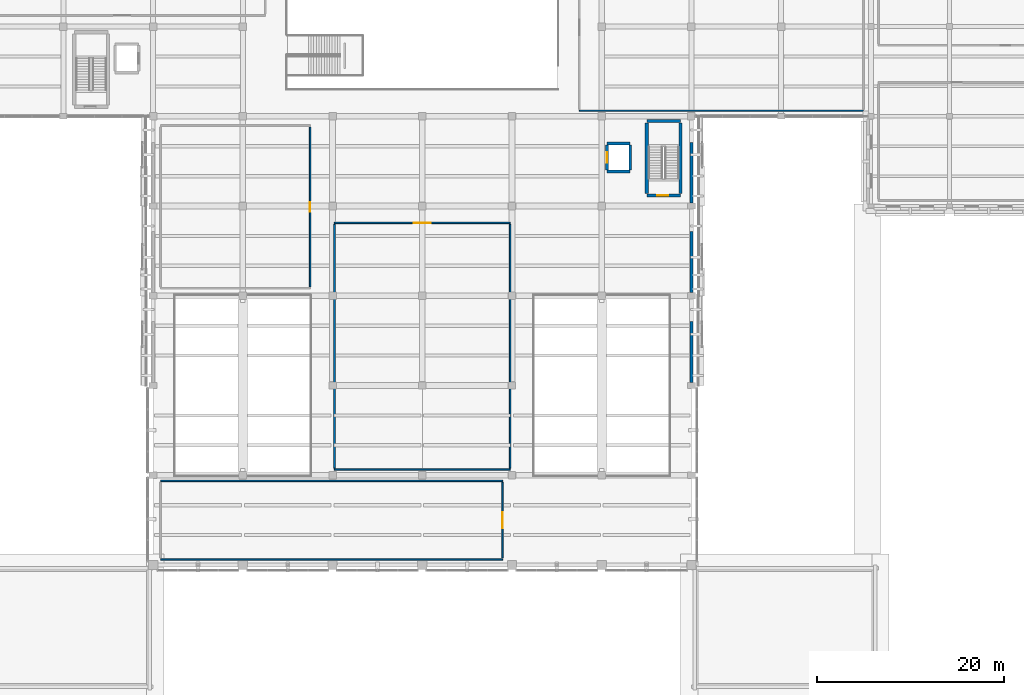
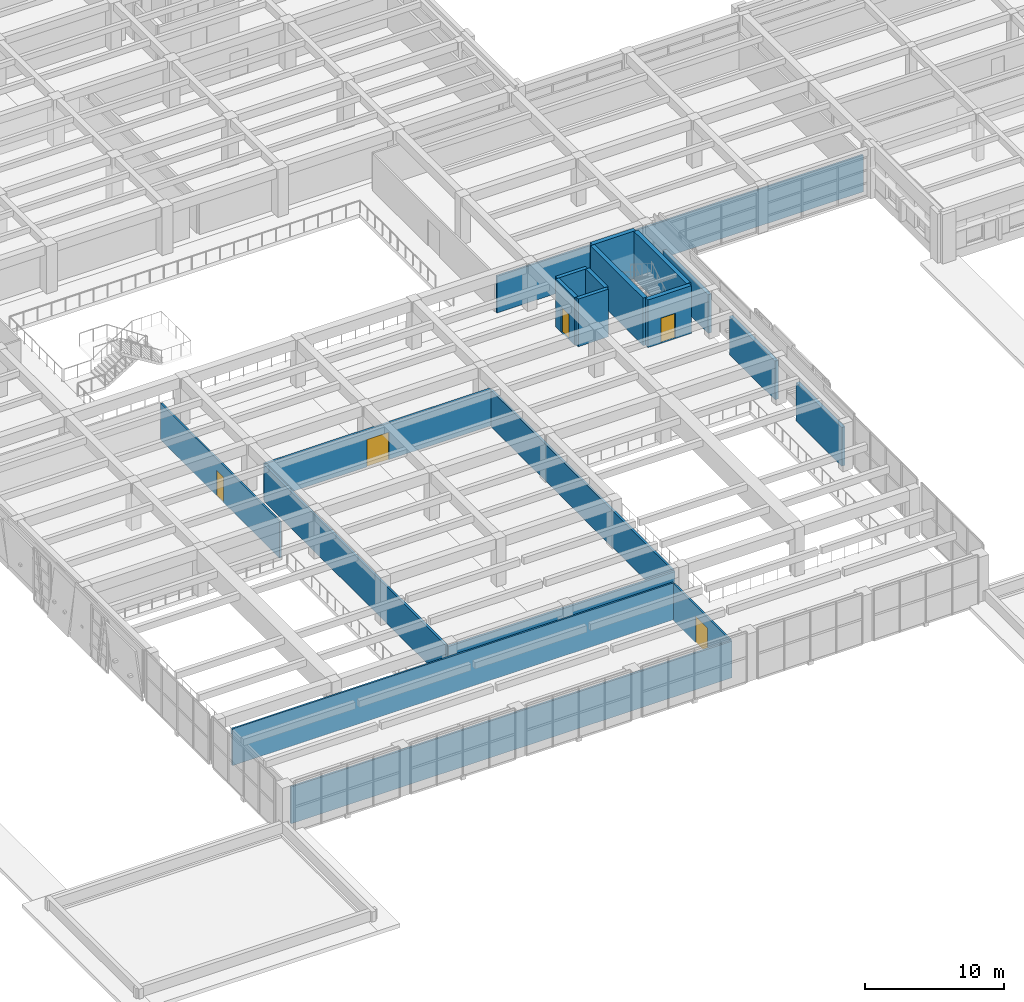
# One storey, part 31 of 49: 20 walls, 5 doors, 5 openings.
"""IFC4 building model written with IfcOpenShell, lengths in metres."""

from ifc_helpers import new_model, si_unit, direction, frame, frame_2d, origin, place, context, subcontext, project, spatial, rectangle, extrude, material, layer, layer_set, type_object, element, fill, save


model = new_model("IFC4")

# Units and contexts
model_context = context("Model", 3, precision=1e-05, world=origin(), true_north=direction((0.0, 1.0)))
body_context = subcontext(model_context, "Body", "Model", "MODEL_VIEW")
ifc_project = project(units=[si_unit("LENGTHUNIT", "METRE"), si_unit("AREAUNIT", "SQUARE_METRE"), si_unit("VOLUMEUNIT", "CUBIC_METRE"), si_unit("PLANEANGLEUNIT", "RADIAN"), si_unit("MASSUNIT", "GRAM", prefix="KILO")], contexts=[model_context])

# Site, building, storey
site_placement = place(None, origin())
site = spatial("IfcSite", under=ifc_project, at=site_placement, CompositionType="ELEMENT")
building_placement = place(site_placement, origin())
building = spatial("IfcBuilding", under=site, at=building_placement, Name="Bempovik Park Faculty of Sciences", CompositionType="ELEMENT")
storey_placement = place(building_placement, frame((0.0, 0.0, 5.39990234375)))
storey = spatial("IfcBuildingStorey", under=building, at=storey_placement, Name="L01", CompositionType="ELEMENT", Elevation=5.39990234375)

# Walls
ifc_material_1 = material(Name="Precast concrete C40/50", Category="concrete")
ifc_layer_1 = layer(ifc_material_1, 0.280029296875)
ifc_layer_set_1 = layer_set([ifc_layer_1], Name="Precast concrete C40/50")
wall_type_1 = type_object("IfcWallType", Name="W-25 Wall 280mm", PredefinedType="SOLIDWALL", material=ifc_layer_set_1)
for number, where, z_axis, x_axis, name in (
    (1, (117.60009765625, 39.326904296875, 0.0), (0.0, 0.0, 1.0), (0.0, 1.0, 0.0), "L01 Crystal Backup Wall EW-CRYS-L01-7018"),
    (2, (117.60009765625, 48.927001953125, 0.0), (0.0, 0.0, 1.0), (0.0, 1.0, 0.0), "L01 Crystal Backup Wall EW-CRYS-L01-7043"),
):
    element("IfcWall", number, at=place(storey_placement, frame(where, z_axis=z_axis, x_axis=x_axis)), inside=storey, type_object=wall_type_1, Name=name, PredefinedType="SOLIDWALL", context=body_context, shape_type="SweptSolid", body=[
        extrude(rectangle(XDim=6.5419921875, YDim=0.280029296875, at=frame_2d((3.27099609375, 0.0))), origin(), (0.0, 0.0, 1.0), 3.380126953125),
    ])
wall_1_placement = place(storey_placement, frame((117.60009765625, 58.527099609375, 0.0), z_axis=(0.0, 0.0, 1.0), x_axis=(0.0, 1.0, 0.0)))
element("IfcWall", 3, at=wall_1_placement, inside=storey, type_object=wall_type_1, Name="L01 Crystal Backup Wall EW-CRYS-L01-7068", PredefinedType="SOLIDWALL", context=body_context, shape_type="SweptSolid", body=[
    extrude(rectangle(XDim=6.466796875, YDim=0.280029296875, at=frame_2d((3.2333984375, 0.0))), origin(), (0.0, 0.0, 1.0), 3.380126953125),
])
ifc_material_2 = material(Name="Concrete C40/50", Category="concrete")
ifc_layer_2 = layer(ifc_material_2, 0.300048828125)
ifc_layer_set_2 = layer_set([ifc_layer_2], Name="Concrete C40/50")
wall_type_2 = type_object("IfcWallType", Name="W-31 Wall 300mm", PredefinedType="SHEAR", material=ifc_layer_set_2)
for number, where, z_axis, x_axis, name in (
    (4, (108.550048828125, 61.89990234375, 0.0), (0.0, 0.0, 1.0), (1.0, 0.0, 0.0), "Lift LF-4 L01 Shaft Wall South"),
    (5, (108.550048828125, 64.89990234375, 0.0), (0.0, 0.0, 1.0), (1.0, 0.0, 0.0), "Lift LF-4 L01 Shaft Wall North"),
):
    element("IfcWall", number, at=place(storey_placement, frame(where, z_axis=z_axis, x_axis=x_axis)), inside=storey, type_object=wall_type_2, Name=name, PredefinedType="SHEAR", context=body_context, shape_type="SweptSolid", body=[
        extrude(rectangle(XDim=2.5, YDim=0.300048828125, at=frame_2d((1.25, 0.0))), origin(), (0.0, 0.0, 1.0), 4.18017578125),
    ])

# Wall, opening, door
wall_2_placement = place(storey_placement, frame((108.550048828125, 62.050048828125, 0.0), z_axis=(0.0, 0.0, 1.0), x_axis=(0.0, 1.0, 0.0)))
wall_2 = element("IfcWall", 6, at=wall_2_placement, inside=storey, type_object=wall_type_2, Name="Lift LF-4 L01 Shaft Wall West", PredefinedType="SHEAR", context=body_context, shape_type="SweptSolid", body=[
    extrude(rectangle(XDim=2.699951171875, YDim=0.300048828125, at=frame_2d((1.35009765625, 0.0))), origin(), (0.0, 0.0, 1.0), 4.18017578125),
])
opening_1_placement = place(wall_2_placement, frame((0.800048828125, 0.0, 0.0)))
opening_1 = element("IfcOpeningElement", 7, at=opening_1_placement, cuts=wall_2, Name="Opening LD-02", PredefinedType="OPENING", context=body_context, shape_type="SweptSolid", body=[
    extrude(rectangle(XDim=1.10009765625, YDim=2.199951171875, at=frame_2d((0.550048828125, 1.10009765625))), frame((0.0, 0.16015625, 0.0), z_axis=(0.0, -1.0, 0.0), x_axis=(1.0, 0.0, 0.0)), (0.0, 0.0, 1.0), 0.320068359375),
])
ifc_material_3 = material(Name="Anodised aluminium", Category="aluminium")
door_type_1 = type_object("IfcDoorType", Name="LD-02 Door 1100x2200", OperationType="NOTDEFINED", PredefinedType="DOOR", material=ifc_material_3)
door_1_placement = place(opening_1_placement, origin())
door_1 = element("IfcDoor", 8, at=door_1_placement, inside=storey, type_object=door_type_1, Name="Lift LF-4 L01 Sliding Landing Door", OperationType="SLIDING_TO_LEFT", OverallHeight=2.199951171875, OverallWidth=1.10009765625, PredefinedType="DOOR", context=body_context, shape_type="SweptSolid", body=[
    extrude(rectangle(XDim=1.10009765625, YDim=2.199951171875, at=frame_2d((0.550048828125, 1.10009765625))), frame((0.0, 0.02490234375, 0.0), z_axis=(0.0, -1.0, 0.0), x_axis=(1.0, 0.0, 0.0)), (0.0, 0.0, 1.0), 0.050048828125),
])
fill(opening_1, door_1)

# Walls
wall_3_placement = place(storey_placement, frame((111.050048828125, 62.050048828125, 0.0), z_axis=(0.0, 0.0, 1.0), x_axis=(0.0, 1.0, 0.0)))
element("IfcWall", 9, at=wall_3_placement, inside=storey, type_object=wall_type_2, Name="Lift LF-4 L01 Shaft Wall East", PredefinedType="SHEAR", context=body_context, shape_type="SweptSolid", body=[
    extrude(rectangle(XDim=2.699951171875, YDim=0.300048828125, at=frame_2d((1.35009765625, 0.0))), origin(), (0.0, 0.0, 1.0), 4.18017578125),
])
ifc_material_4 = material(Name="Gypsum acoustic stud assembly")
ifc_layer_3 = layer(ifc_material_4, 0.14990234375)
ifc_layer_set_3 = layer_set([ifc_layer_3], Name="Gypsum acoustic stud assembly")
wall_type_3 = type_object("IfcWallType", Name="W-42 Wall 150mm", PredefinedType="PARTITIONING", material=ifc_layer_set_3)
for number, where, z_axis, x_axis, name in (
    (10, (60.800048828125, 20.39990234375, 0.0), (0.0, 0.0, 1.0), (1.0, 0.0, 0.0), "L01 Science Learning Commons South Reading Hall Partition South"),
    (11, (60.800048828125, 28.800048828125, 0.0), (0.0, 0.0, 1.0), (1.0, 0.0, 0.0), "L01 Science Learning Commons South Reading Hall Partition North"),
):
    element("IfcWall", number, at=place(storey_placement, frame(where, z_axis=z_axis, x_axis=x_axis)), inside=storey, type_object=wall_type_3, Name=name, PredefinedType="PARTITIONING", context=body_context, shape_type="SweptSolid", body=[
        extrude(rectangle(XDim=36.599853515625, YDim=0.14990234375, at=frame_2d((18.2998046875, 0.0))), origin(), (0.0, 0.0, 1.0), 3.22021484375),
    ])

# Wall, opening, door
wall_4_placement = place(storey_placement, frame((97.39990234375, 20.56005859375, 0.0), z_axis=(0.0, 0.0, 1.0), x_axis=(0.0, 1.0, 0.0)))
wall_4 = element("IfcWall", 12, at=wall_4_placement, inside=storey, type_object=wall_type_3, Name="L01 Science Learning Commons South Reading Hall Partition East", PredefinedType="PARTITIONING", context=body_context, shape_type="SweptSolid", body=[
    extrude(rectangle(XDim=8.079833984375, YDim=0.14990234375, at=frame_2d((4.0400390625, 0.0))), origin(), (0.0, 0.0, 1.0), 3.22021484375),
])
opening_2_placement = place(wall_4_placement, frame((3.18994140625, 0.0, 0.0)))
opening_2 = element("IfcOpeningElement", 13, at=opening_2_placement, cuts=wall_4, Name="Opening D-40", PredefinedType="OPENING", context=body_context, shape_type="SweptSolid", body=[
    extrude(rectangle(XDim=1.699951171875, YDim=2.300048828125, at=frame_2d((0.85009765625, 1.14990234375))), frame((0.0, 0.0849609375, 0.0), z_axis=(0.0, -1.0, 0.0), x_axis=(1.0, 0.0, 0.0)), (0.0, 0.0, 1.0), 0.169921875),
])
ifc_material_5 = material(Name="Anodised architectural bronze")
door_type_2 = type_object("IfcDoorType", Name="D-40 Door 1700x2300", OperationType="NOTDEFINED", PredefinedType="DOOR", material=ifc_material_5)
door_2_placement = place(opening_2_placement, origin())
door_2 = element("IfcDoor", 14, at=door_2_placement, inside=storey, type_object=door_type_2, Name="L01 Science Learning Commons South Reading Hall Door", OperationType="DOUBLE_DOOR_SINGLE_SWING", OverallHeight=2.300048828125, OverallWidth=1.699951171875, PredefinedType="DOOR", context=body_context, shape_type="SweptSolid", body=[
    extrude(rectangle(XDim=1.699951171875, YDim=2.300048828125, at=frame_2d((0.85009765625, 1.14990234375))), frame((0.0, 0.02490234375, 0.0), z_axis=(0.0, -1.0, 0.0), x_axis=(1.0, 0.0, 0.0)), (0.0, 0.0, 1.0), 0.050048828125),
])
fill(opening_2, door_2)

wall_5_placement = place(storey_placement, frame((76.800048828125, 49.56005859375, 0.0), z_axis=(0.0, 0.0, 1.0), x_axis=(0.0, 1.0, 0.0)))
wall_5 = element("IfcWall", 15, at=wall_5_placement, inside=storey, type_object=wall_type_3, Name="L01 Crystal West Seminar Room Partition East", PredefinedType="PARTITIONING", context=body_context, shape_type="SweptSolid", body=[
    extrude(rectangle(XDim=17.079833984375, YDim=0.14990234375, at=frame_2d((8.5400390625, 0.0))), origin(), (0.0, 0.0, 1.0), 3.22021484375),
])
opening_3_placement = place(wall_5_placement, frame((8.014892578125, 0.0, 0.0)))
opening_3 = element("IfcOpeningElement", 16, at=opening_3_placement, cuts=wall_5, Name="Opening D-16", PredefinedType="OPENING", context=body_context, shape_type="SweptSolid", body=[
    extrude(rectangle(XDim=1.050048828125, YDim=2.199951171875, at=frame_2d((0.52490234375, 1.10009765625))), frame((0.0, 0.0849609375, 0.0), z_axis=(0.0, -1.0, 0.0), x_axis=(1.0, 0.0, 0.0)), (0.0, 0.0, 1.0), 0.169921875),
])
ifc_material_6 = material(Name="West African hardwood finish", Category="wood")
door_type_3 = type_object("IfcDoorType", Name="D-16 Door 1050x2200", OperationType="NOTDEFINED", PredefinedType="DOOR", material=ifc_material_6)
door_3_placement = place(opening_3_placement, origin())
door_3 = element("IfcDoor", 17, at=door_3_placement, inside=storey, type_object=door_type_3, Name="L01 Crystal West Seminar Room Door", OperationType="SINGLE_SWING_LEFT", OverallHeight=2.199951171875, OverallWidth=1.050048828125, PredefinedType="DOOR", context=body_context, shape_type="SweptSolid", body=[
    extrude(rectangle(XDim=1.050048828125, YDim=2.199951171875, at=frame_2d((0.52490234375, 1.10009765625))), frame((0.0, 0.02490234375, 0.0), z_axis=(0.0, -1.0, 0.0), x_axis=(1.0, 0.0, 0.0)), (0.0, 0.0, 1.0), 0.050048828125),
])
fill(opening_3, door_3)

# Wall
wall_6_placement = place(storey_placement, frame((105.60009765625, 68.39990234375, 0.0), z_axis=(0.0, 0.0, 1.0), x_axis=(1.0, 0.0, 0.0)))
element("IfcWall", 18, at=wall_6_placement, inside=storey, type_object=wall_type_3, Name="L01 Atrium Concourse Study Gallery East Partition South", PredefinedType="PARTITIONING", context=body_context, shape_type="SweptSolid", body=[
    extrude(rectangle(XDim=30.39990234375, YDim=0.14990234375, at=frame_2d((15.199951171875, 0.0))), origin(), (0.0, 0.0, 1.0), 3.22021484375),
])

# Wall, opening, door
ifc_layer_4 = layer(ifc_material_2, 0.35009765625)
ifc_layer_set_4 = layer_set([ifc_layer_4], Name="Concrete C40/50")
wall_type_4 = type_object("IfcWallType", Name="W-46 Wall 350mm", PredefinedType="SHEAR", material=ifc_layer_set_4)
wall_7_placement = place(storey_placement, frame((112.824951171875, 59.324951171875, 0.0), z_axis=(0.0, 0.0, 1.0), x_axis=(1.0, 0.0, 0.0)))
wall_7 = element("IfcWall", 19, at=wall_7_placement, inside=storey, type_object=wall_type_4, Name="ST-5 L01 Core Shear Wall South", PredefinedType="SHEAR", context=body_context, shape_type="SweptSolid", body=[
    extrude(rectangle(XDim=3.60009765625, YDim=0.35009765625, at=frame_2d((1.800048828125, 0.0))), origin(), (0.0, 0.0, 1.0), 4.18017578125),
])
opening_4_placement = place(wall_7_placement, frame((1.10009765625, 0.0, 0.0)))
opening_4 = element("IfcOpeningElement", 20, at=opening_4_placement, cuts=wall_7, Name="Opening D-49", PredefinedType="OPENING", context=body_context, shape_type="SweptSolid", body=[
    extrude(rectangle(XDim=1.199951171875, YDim=2.199951171875, at=frame_2d((0.60009765625, 1.10009765625))), frame((0.0, 0.18505859375, 0.0), z_axis=(0.0, -1.0, 0.0), x_axis=(1.0, 0.0, 0.0)), (0.0, 0.0, 1.0), 0.3701171875),
])
ifc_material_7 = material(Name="Painted steel S355", Category="steel")
door_type_4 = type_object("IfcDoorType", Name="D-49 Door 1200x2200", OperationType="NOTDEFINED", PredefinedType="DOOR", material=ifc_material_7)
door_4_placement = place(opening_4_placement, origin())
door_4 = element("IfcDoor", 21, at=door_4_placement, inside=storey, type_object=door_type_4, Name="ST-5 L01 Protected Stair Smoke Door", OperationType="SINGLE_SWING_RIGHT", OverallHeight=2.199951171875, OverallWidth=1.199951171875, PredefinedType="DOOR", context=body_context, shape_type="SweptSolid", body=[
    extrude(rectangle(XDim=1.199951171875, YDim=2.199951171875, at=frame_2d((0.60009765625, 1.10009765625))), frame((0.0, 0.02490234375, 0.0), z_axis=(0.0, -1.0, 0.0), x_axis=(1.0, 0.0, 0.0)), (0.0, 0.0, 1.0), 0.050048828125),
])
fill(opening_4, door_4)

# Walls
for number, where, z_axis, x_axis, name in (
    (22, (112.824951171875, 59.52490234375, 0.0), (0.0, 0.0, 1.0), (0.0, 1.0, 0.0), "ST-5 L01 Core Shear Wall West"),
    (23, (116.425048828125, 59.52490234375, 0.0), (0.0, 0.0, 1.0), (0.0, 1.0, 0.0), "ST-5 L01 Core Shear Wall East"),
):
    element("IfcWall", number, at=place(storey_placement, frame(where, z_axis=z_axis, x_axis=x_axis)), inside=storey, type_object=wall_type_4, Name=name, PredefinedType="SHEAR", context=body_context, shape_type="SweptSolid", body=[
        extrude(rectangle(XDim=7.5751953125, YDim=0.35009765625, at=frame_2d((3.78759765625, 0.0))), origin(), (0.0, 0.0, 1.0), 4.18017578125),
    ])
wall_8_placement = place(storey_placement, frame((112.824951171875, 67.300048828125, 0.0), z_axis=(0.0, 0.0, 1.0), x_axis=(1.0, 0.0, 0.0)))
element("IfcWall", 24, at=wall_8_placement, inside=storey, type_object=wall_type_4, Name="ST-5 L01 Core Shear Wall North", PredefinedType="SHEAR", context=body_context, shape_type="SweptSolid", body=[
    extrude(rectangle(XDim=3.60009765625, YDim=0.35009765625, at=frame_2d((1.800048828125, 0.0))), origin(), (0.0, 0.0, 1.0), 4.18017578125),
])
ifc_layer_5 = layer(ifc_material_4, 0.179931640625)
ifc_layer_set_5 = layer_set([ifc_layer_5], Name="Gypsum acoustic stud assembly")
wall_type_5 = type_object("IfcWallType", Name="W-53 Wall 180mm", PredefinedType="PARTITIONING", material=ifc_layer_set_5)
wall_9_placement = place(storey_placement, frame((79.39990234375, 30.0, 0.0), z_axis=(0.0, 0.0, 1.0), x_axis=(1.0, 0.0, 0.0)))
element("IfcWall", 25, at=wall_9_placement, inside=storey, type_object=wall_type_5, Name="L01 Central Tiered Lecture Theatre Partition South", PredefinedType="PARTITIONING", context=body_context, shape_type="SweptSolid", body=[
    extrude(rectangle(XDim=18.800048828125, YDim=0.179931640625, at=frame_2d((9.39990234375, 0.0))), origin(), (0.0, 0.0, 1.0), 3.22021484375),
])

# Wall, opening, door
wall_10_placement = place(storey_placement, frame((79.39990234375, 56.39990234375, 0.0), z_axis=(0.0, 0.0, 1.0), x_axis=(1.0, 0.0, 0.0)))
wall_10 = element("IfcWall", 26, at=wall_10_placement, inside=storey, type_object=wall_type_5, Name="L01 Central Tiered Lecture Theatre Partition North", PredefinedType="PARTITIONING", context=body_context, shape_type="SweptSolid", body=[
    extrude(rectangle(XDim=18.800048828125, YDim=0.179931640625, at=frame_2d((9.39990234375, 0.0))), origin(), (0.0, 0.0, 1.0), 3.22021484375),
])
opening_5_placement = place(wall_10_placement, frame((8.5, 0.0, 0.0)))
opening_5 = element("IfcOpeningElement", 27, at=opening_5_placement, cuts=wall_10, Name="Opening D-61", PredefinedType="OPENING", context=body_context, shape_type="SweptSolid", body=[
    extrude(rectangle(XDim=1.800048828125, YDim=2.39990234375, at=frame_2d((0.89990234375, 1.199951171875))), frame((0.0, 0.10009765625, 0.0), z_axis=(0.0, -1.0, 0.0), x_axis=(1.0, 0.0, 0.0)), (0.0, 0.0, 1.0), 0.199951171875),
])
door_type_5 = type_object("IfcDoorType", Name="D-61 Door 1800x2400", OperationType="NOTDEFINED", PredefinedType="DOOR", material=ifc_material_6)
door_5_placement = place(opening_5_placement, origin())
door_5 = element("IfcDoor", 28, at=door_5_placement, inside=storey, type_object=door_type_5, Name="L01 Central Tiered Lecture Theatre Door", OperationType="DOUBLE_DOOR_SINGLE_SWING", OverallHeight=2.39990234375, OverallWidth=1.800048828125, PredefinedType="DOOR", context=body_context, shape_type="SweptSolid", body=[
    extrude(rectangle(XDim=1.800048828125, YDim=2.39990234375, at=frame_2d((0.89990234375, 1.199951171875))), frame((0.0, 0.02490234375, 0.0), z_axis=(0.0, -1.0, 0.0), x_axis=(1.0, 0.0, 0.0)), (0.0, 0.0, 1.0), 0.050048828125),
])
fill(opening_5, door_5)

# Walls
for number, where, z_axis, x_axis, name in (
    (29, (79.39990234375, 30.159912109375, 0.0), (0.0, 0.0, 1.0), (0.0, 1.0, 0.0), "L01 Central Tiered Lecture Theatre Partition West"),
    (30, (98.199951171875, 30.159912109375, 0.0), (0.0, 0.0, 1.0), (0.0, 1.0, 0.0), "L01 Central Tiered Lecture Theatre Partition East"),
):
    element("IfcWall", number, at=place(storey_placement, frame(where, z_axis=z_axis, x_axis=x_axis)), inside=storey, type_object=wall_type_5, Name=name, PredefinedType="PARTITIONING", context=body_context, shape_type="SweptSolid", body=[
        extrude(rectangle(XDim=26.080078125, YDim=0.179931640625, at=frame_2d((13.0400390625, 0.0))), origin(), (0.0, 0.0, 1.0), 3.22021484375),
    ])

save(model, "model.ifc")
